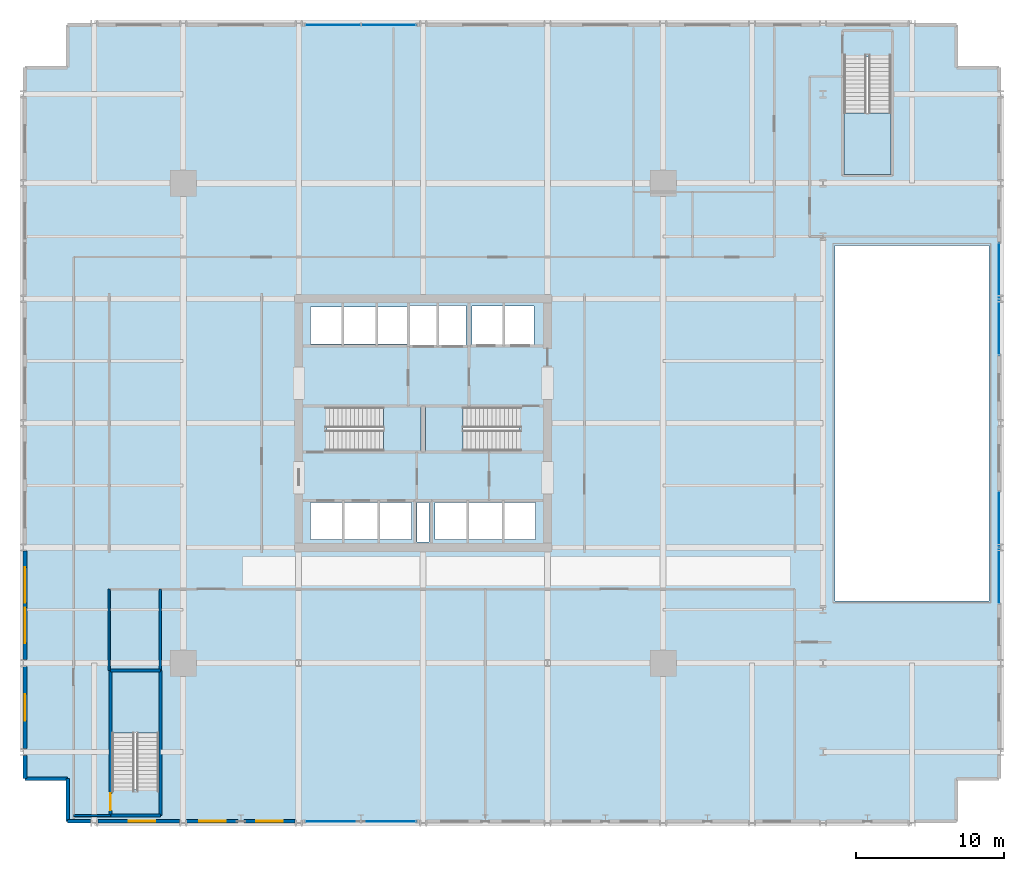
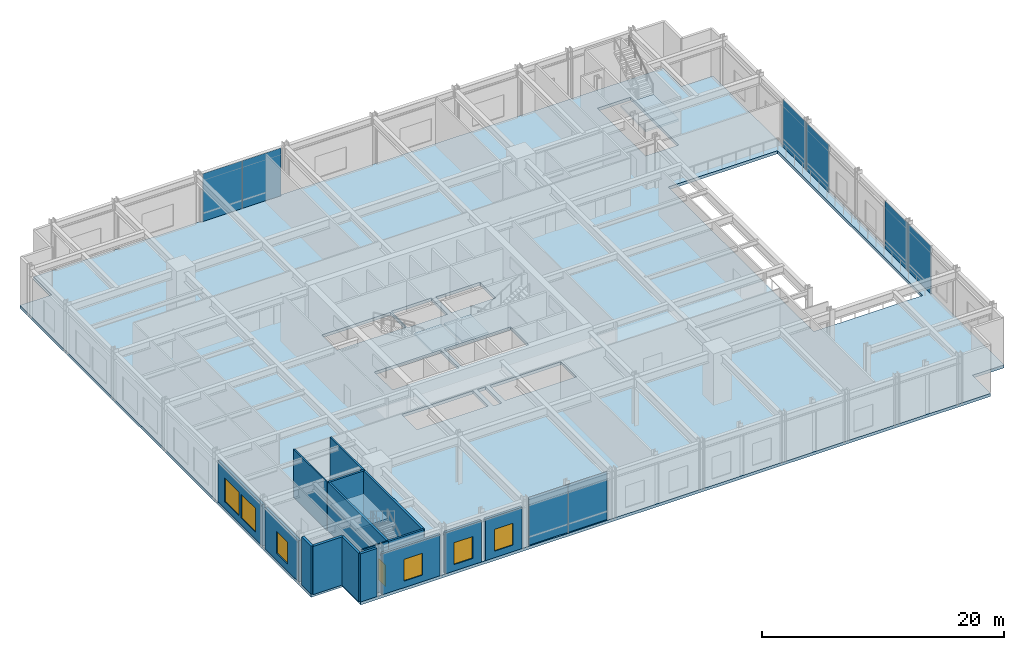
# One storey, part 10 of 20: 16 walls, 8 plates, 6 windows, 5 slabs, 1 door, 7 openings, 8 elements without a shape of their own.
"""IFC4 building model written with IfcOpenShell, lengths in metres."""

from ifc_helpers import new_model, si_unit, direction, frame, frame_2d, origin, origin_2d, place, context, subcontext, project, spatial, polyline, rectangle, outline, extrude, material, layer, layer_set, type_object, element, fill, aggregate, save


model = new_model("IFC4")

# Units and contexts
model_context = context("Model", 3, precision=1e-05, world=origin(), true_north=direction((0.0, 1.0)))
body_context = subcontext(model_context, "Body", "Model", "MODEL_VIEW")
ifc_project = project(units=[si_unit("LENGTHUNIT", "METRE"), si_unit("AREAUNIT", "SQUARE_METRE"), si_unit("VOLUMEUNIT", "CUBIC_METRE"), si_unit("PLANEANGLEUNIT", "RADIAN"), si_unit("MASSUNIT", "GRAM", prefix="KILO")], contexts=[model_context])

# Site, building, storey
site_placement = place(None, origin())
site = spatial("IfcSite", under=ifc_project, at=site_placement, CompositionType="ELEMENT")
building_placement = place(site_placement, origin())
building = spatial("IfcBuilding", under=site, at=building_placement, Name="Drelvath Grand Hotel", CompositionType="ELEMENT")
storey_placement = place(building_placement, frame((0.0, 0.0, 5.60009765625)))
storey = spatial("IfcBuildingStorey", under=building, at=storey_placement, Name="L01", CompositionType="ELEMENT", Elevation=5.60009765625)

# Slab
ifc_material_1 = material(Name="Concrete f'c 40 MPa", Category="concrete")
ifc_layer_1 = layer(ifc_material_1, 0.300048828125)
ifc_layer_set_1 = layer_set([ifc_layer_1], Name="Concrete f'c 40 MPa")
slab_type_1 = type_object("IfcSlabType", Name="Composite RC Floor Slab 300", PredefinedType="FLOOR", material=ifc_layer_set_1)
slab_1_placement = place(storey_placement, frame((0.0, 0.0, -0.300048828125)))
element("IfcSlab", 1, at=slab_1_placement, inside=storey, type_object=slab_type_1, Name="L01 Structural Floor Slab", PredefinedType="FLOOR", context=body_context, shape_type="SweptSolid", body=[
    extrude(outline(polyline([(-24.0, 0.0), (36.0, 0.0), (36.0, 3.0), (39.0, 3.0), (39.0, 51.0), (36.0, 51.0), (36.0, 54.0), (-24.0, 54.0), (-24.0, 51.0), (-27.0, 51.0), (-27.0, 3.0), (-24.0, 3.0), (-24.0, 0.0)]), holes=[polyline([(-6.47998046875, 25.1201171875), (-6.47998046875, 28.080078125), (-0.14990234375, 28.080078125), (-0.14990234375, 25.1201171875), (-6.47998046875, 25.1201171875)]), polyline([(0.14990234375, 25.1201171875), (0.14990234375, 28.080078125), (6.47998046875, 28.080078125), (6.47998046875, 25.1201171875), (0.14990234375, 25.1201171875)]), polyline([(-21.0, 2.27001953125), (-21.0, 10.199951171875), (-17.840087890625, 10.199951171875), (-17.840087890625, 2.27001953125), (-21.0, 2.27001953125)]), polyline([(28.419921875, 43.800048828125), (28.419921875, 51.72998046875), (31.580078125, 51.72998046875), (31.580078125, 43.800048828125), (28.419921875, 43.800048828125)]), polyline([(-7.60009765625, 19.14990234375), (-7.60009765625, 21.64990234375), (-0.800048828125, 21.64990234375), (-0.800048828125, 19.14990234375), (-7.60009765625, 19.14990234375)]), polyline([(-0.39990234375, 18.9599609375), (-0.39990234375, 21.639892578125), (0.39990234375, 21.639892578125), (0.39990234375, 18.9599609375), (-0.39990234375, 18.9599609375)]), polyline([(0.800048828125, 19.14990234375), (0.800048828125, 21.64990234375), (7.60009765625, 21.64990234375), (7.60009765625, 19.14990234375), (0.800048828125, 19.14990234375)]), polyline([(-7.60009765625, 32.35009765625), (-7.60009765625, 34.85009765625), (-1.02001953125, 34.85009765625), (-1.02001953125, 32.35009765625), (-7.60009765625, 32.35009765625)]), polyline([(-0.89990234375, 32.25), (-0.89990234375, 34.949951171875), (2.89990234375, 34.949951171875), (2.89990234375, 32.25), (-0.89990234375, 32.25)]), polyline([(3.300048828125, 32.300048828125), (3.300048828125, 34.89990234375), (7.5, 34.89990234375), (7.5, 32.300048828125), (3.300048828125, 32.300048828125)]), polyline([(27.800048828125, 15.0), (27.800048828125, 39.0), (38.199951171875, 39.0), (38.199951171875, 15.0), (27.800048828125, 15.0)])]), origin(), (0.0, 0.0, 1.0), 0.300048828125),
])

# Stair, slab
ifc_material_2 = material(Name="Concrete C40/50", Category="concrete")
stair_type_1 = type_object("IfcStairType", Name="Dogleg Exit Stair W1400-R173.3", PredefinedType="HALF_TURN_STAIR", material=ifc_material_2)
stair_1_placement = place(storey_placement, origin())
stair_1 = element("IfcStair", 2, at=stair_1_placement, inside=storey, type_object=stair_type_1, Name="L01 Core Exit Stair ST-1", PredefinedType="HALF_TURN_STAIR")
ifc_layer_2 = layer(ifc_material_2, 0.199951171875)
ifc_layer_set_2 = layer_set([ifc_layer_2], Name="Concrete C40/50")
slab_type_2 = type_object("IfcSlabType", Name="Concrete Stair Landing Slab 200", PredefinedType="LANDING", material=ifc_layer_set_2)
slab_2_placement = place(storey_placement, frame((0.0, 0.0, 2.39990234375)))
slab_2 = element("IfcSlab", 3, at=slab_2_placement, type_object=slab_type_2, Name="ST-1 landing 1", PredefinedType="LANDING", context=body_context, shape_type="SweptSolid", body=[
    extrude(outline(polyline([(-2.679931640625, 25.1201171875), (-0.14990234375, 25.1201171875), (-0.14990234375, 28.080078125), (-2.679931640625, 28.080078125), (-2.679931640625, 25.1201171875)])), origin(), (0.0, 0.0, 1.0), 0.199951171875),
])
aggregate(stair_1, [slab_2])

stair_2_placement = place(storey_placement, origin())
stair_2 = element("IfcStair", 4, at=stair_2_placement, inside=storey, type_object=stair_type_1, Name="L01 Core Exit Stair ST-2", PredefinedType="HALF_TURN_STAIR")
slab_3_placement = place(storey_placement, frame((0.0, 0.0, 2.39990234375)))
slab_3 = element("IfcSlab", 5, at=slab_3_placement, type_object=slab_type_2, Name="ST-2 landing 1", PredefinedType="LANDING", context=body_context, shape_type="SweptSolid", body=[
    extrude(outline(polyline([(2.679931640625, 28.080078125), (0.14990234375, 28.080078125), (0.14990234375, 25.1201171875), (2.679931640625, 25.1201171875), (2.679931640625, 28.080078125)])), origin(), (0.0, 0.0, 1.0), 0.199951171875),
])
aggregate(stair_2, [slab_3])

stair_type_2 = type_object("IfcStairType", Name="Dogleg Exit Stair W1500-R173.3", PredefinedType="HALF_TURN_STAIR", material=ifc_material_2)
stair_3_placement = place(storey_placement, origin())
stair_3 = element("IfcStair", 6, at=stair_3_placement, inside=storey, type_object=stair_type_2, Name="L01 Podium Exit Stair ST-3", PredefinedType="HALF_TURN_STAIR")
slab_4_placement = place(storey_placement, frame((0.0, 0.0, 2.39990234375)))
slab_4 = element("IfcSlab", 7, at=slab_4_placement, type_object=slab_type_2, Name="ST-3 landing 1", PredefinedType="LANDING", context=body_context, shape_type="SweptSolid", body=[
    extrude(outline(polyline([(-17.840087890625, 6.070068359375), (-17.840087890625, 10.199951171875), (-21.0, 10.199951171875), (-21.0, 6.070068359375), (-17.840087890625, 6.070068359375)])), origin(), (0.0, 0.0, 1.0), 0.199951171875),
])
aggregate(stair_3, [slab_4])

stair_4_placement = place(storey_placement, origin())
stair_4 = element("IfcStair", 8, at=stair_4_placement, inside=storey, type_object=stair_type_2, Name="L01 Podium Exit Stair ST-4", PredefinedType="HALF_TURN_STAIR")
slab_5_placement = place(storey_placement, frame((0.0, 0.0, 2.39990234375)))
slab_5 = element("IfcSlab", 9, at=slab_5_placement, type_object=slab_type_2, Name="ST-4 landing 1", PredefinedType="LANDING", context=body_context, shape_type="SweptSolid", body=[
    extrude(outline(polyline([(28.419921875, 47.929931640625), (28.419921875, 43.800048828125), (31.580078125, 43.800048828125), (31.580078125, 47.929931640625), (28.419921875, 47.929931640625)])), origin(), (0.0, 0.0, 1.0), 0.199951171875),
])
aggregate(stair_4, [slab_5])

# Curtain wall, plates
ifc_material_3 = material(Name="Dark Bronze Anodised Aluminium Frame", Category="aluminium")
ifc_layer_3 = layer(ifc_material_3, 0.199951171875)
ifc_layer_set_3 = layer_set([ifc_layer_3], Name="Dark Bronze Anodised Aluminium Frame")
curtain_wall_type = type_object("IfcCurtainWallType", Name="Stick Curtain Wall CW-01 Dark Bronze Podium", PredefinedType="NOTDEFINED", material=ifc_layer_set_3)
curtain_wall_1_placement = place(storey_placement, origin())
curtain_wall_1 = element("IfcCurtainWall", 10, at=curtain_wall_1_placement, inside=storey, type_object=curtain_wall_type, Name="L01 CW-01 Curtain Wall CW01-L01-EA1", PredefinedType="NOTDEFINED")
ifc_material_4 = material(Name="Low-E Double Silver Vision Glass Clear", Category="glass")
ifc_layer_4 = layer(ifc_material_4, 0.035888671875)
ifc_layer_set_4 = layer_set([ifc_layer_4], Name="Low-E Double Silver Vision Glass Clear")
plate_type = type_object("IfcPlateType", Name="Curtain Wall Vision Panel CW-01 36mm", PredefinedType="CURTAIN_PANEL", material=ifc_layer_set_4)
plate_1_placement = place(storey_placement, frame((38.8798828125, 20.5, 0.019775390625), z_axis=(0.0, 0.0, 1.0), x_axis=(0.0, -1.0, 0.0)))
plate_1 = element("IfcPlate", 11, at=plate_1_placement, type_object=plate_type, Name="CW01-L01-EA1 Glazed Panel 1", PredefinedType="CURTAIN_PANEL", context=body_context, shape_type="SweptSolid", body=[
    extrude(rectangle(XDim=3.760009765625, YDim=0.035888671875, at=origin_2d()), origin(), (0.0, 0.0, 1.0), 4.81005859375),
])
plate_2_placement = place(storey_placement, frame((38.8798828125, 16.699951171875, 0.019775390625), z_axis=(0.0, 0.0, 1.0), x_axis=(0.0, -1.0, 0.0)))
plate_2 = element("IfcPlate", 12, at=plate_2_placement, type_object=plate_type, Name="CW01-L01-EA1 Glazed Panel 2", PredefinedType="CURTAIN_PANEL", context=body_context, shape_type="SweptSolid", body=[
    extrude(rectangle(XDim=3.760009765625, YDim=0.035888671875, at=origin_2d()), origin(), (0.0, 0.0, 1.0), 4.81005859375),
])
aggregate(curtain_wall_1, [plate_1, plate_2])

curtain_wall_2_placement = place(storey_placement, origin())
curtain_wall_2 = element("IfcCurtainWall", 13, at=curtain_wall_2_placement, inside=storey, type_object=curtain_wall_type, Name="L01 CW-01 Curtain Wall CW01-L01-EA2", PredefinedType="NOTDEFINED")
plate_3_placement = place(storey_placement, frame((38.8798828125, 37.300048828125, 0.019775390625), z_axis=(0.0, 0.0, 1.0), x_axis=(0.0, -1.0, 0.0)))
plate_3 = element("IfcPlate", 14, at=plate_3_placement, type_object=plate_type, Name="CW01-L01-EA2 Glazed Panel 1", PredefinedType="CURTAIN_PANEL", context=body_context, shape_type="SweptSolid", body=[
    extrude(rectangle(XDim=3.760009765625, YDim=0.035888671875, at=origin_2d()), origin(), (0.0, 0.0, 1.0), 4.81005859375),
])
plate_4_placement = place(storey_placement, frame((38.8798828125, 33.5, 0.019775390625), z_axis=(0.0, 0.0, 1.0), x_axis=(0.0, -1.0, 0.0)))
plate_4 = element("IfcPlate", 15, at=plate_4_placement, type_object=plate_type, Name="CW01-L01-EA2 Glazed Panel 2", PredefinedType="CURTAIN_PANEL", context=body_context, shape_type="SweptSolid", body=[
    extrude(rectangle(XDim=3.760009765625, YDim=0.035888671875, at=origin_2d()), origin(), (0.0, 0.0, 1.0), 4.81005859375),
])
aggregate(curtain_wall_2, [plate_3, plate_4])

curtain_wall_3_placement = place(storey_placement, origin())
curtain_wall_3 = element("IfcCurtainWall", 16, at=curtain_wall_3_placement, inside=storey, type_object=curtain_wall_type, Name="L01 CW-01 Curtain Wall CW01-L01-SC1", PredefinedType="NOTDEFINED")
plate_5_placement = place(storey_placement, frame((-2.324951171875, 0.1201171875, 0.019775390625), z_axis=(0.0, 0.0, 1.0), x_axis=(-1.0, 0.0, 0.0)))
plate_5 = element("IfcPlate", 17, at=plate_5_placement, type_object=plate_type, Name="CW01-L01-SC1 Glazed Panel 1", PredefinedType="CURTAIN_PANEL", context=body_context, shape_type="SweptSolid", body=[
    extrude(rectangle(XDim=3.7099609375, YDim=0.035888671875, at=origin_2d()), origin(), (0.0, 0.0, 1.0), 4.81005859375),
])
plate_6_placement = place(storey_placement, frame((-6.074951171875, 0.1201171875, 0.019775390625), z_axis=(0.0, 0.0, 1.0), x_axis=(-1.0, 0.0, 0.0)))
plate_6 = element("IfcPlate", 18, at=plate_6_placement, type_object=plate_type, Name="CW01-L01-SC1 Glazed Panel 2", PredefinedType="CURTAIN_PANEL", context=body_context, shape_type="SweptSolid", body=[
    extrude(rectangle(XDim=3.7099609375, YDim=0.035888671875, at=origin_2d()), origin(), (0.0, 0.0, 1.0), 4.81005859375),
])
aggregate(curtain_wall_3, [plate_5, plate_6])

curtain_wall_4_placement = place(storey_placement, origin())
curtain_wall_4 = element("IfcCurtainWall", 19, at=curtain_wall_4_placement, inside=storey, type_object=curtain_wall_type, Name="L01 CW-01 Curtain Wall CW01-L01-NC1", PredefinedType="NOTDEFINED")
plate_7_placement = place(storey_placement, frame((-6.074951171875, 53.8798828125, 0.019775390625), z_axis=(0.0, 0.0, 1.0), x_axis=(1.0, 0.0, 0.0)))
plate_7 = element("IfcPlate", 20, at=plate_7_placement, type_object=plate_type, Name="CW01-L01-NC1 Glazed Panel 1", PredefinedType="CURTAIN_PANEL", context=body_context, shape_type="SweptSolid", body=[
    extrude(rectangle(XDim=3.7099609375, YDim=0.035888671875, at=origin_2d()), origin(), (0.0, 0.0, 1.0), 4.81005859375),
])
plate_8_placement = place(storey_placement, frame((-2.324951171875, 53.8798828125, 0.019775390625), z_axis=(0.0, 0.0, 1.0), x_axis=(1.0, 0.0, 0.0)))
plate_8 = element("IfcPlate", 21, at=plate_8_placement, type_object=plate_type, Name="CW01-L01-NC1 Glazed Panel 2", PredefinedType="CURTAIN_PANEL", context=body_context, shape_type="SweptSolid", body=[
    extrude(rectangle(XDim=3.7099609375, YDim=0.035888671875, at=origin_2d()), origin(), (0.0, 0.0, 1.0), 4.81005859375),
])
aggregate(curtain_wall_4, [plate_7, plate_8])

# Wall, opening, door
ifc_layer_5 = layer(ifc_material_2, 0.199951171875)
ifc_layer_set_5 = layer_set([ifc_layer_5], Name="Concrete C40/50")
wall_type_1 = type_object("IfcWallType", Name="Core Shaft Fire Wall 200", PredefinedType="SOLIDWALL", material=ifc_layer_set_5)
wall_1_placement = place(storey_placement, frame((-21.10009765625, 0.5, 0.0), z_axis=(0.0, 0.0, 1.0), x_axis=(0.0, 1.0, 0.0)))
wall_1 = element("IfcWall", 22, at=wall_1_placement, inside=storey, type_object=wall_type_1, Name="L01 Stair ST-3 West Wall", PredefinedType="SOLIDWALL", context=body_context, shape_type="SweptSolid", body=[
    extrude(rectangle(XDim=9.800048828125, YDim=0.199951171875, at=frame_2d((4.89990234375, 0.0))), origin(), (0.0, 0.0, 1.0), 4.849853515625),
])
opening_1_placement = place(wall_1_placement, frame((0.35009765625, 0.0, 0.0)))
opening_1 = element("IfcOpeningElement", 23, at=opening_1_placement, cuts=wall_1, Name="Opening D-L01-016", PredefinedType="OPENING", context=body_context, shape_type="SweptSolid", body=[
    extrude(rectangle(XDim=1.14990234375, YDim=2.14990234375, at=frame_2d((0.574951171875, 1.074951171875))), frame((0.0, 0.10986328125, 0.0), z_axis=(0.0, -1.0, 0.0), x_axis=(1.0, 0.0, 0.0)), (0.0, 0.0, 1.0), 0.219970703125),
])
ifc_material_5 = material(Name="Painted Steel S275", Category="steel")
door_type = type_object("IfcDoorType", Name="Podium Stairwell Fire Door 1150x2150", OperationType="NOTDEFINED", PredefinedType="DOOR", material=ifc_material_5)
door_placement = place(opening_1_placement, origin())
door = element("IfcDoor", 24, at=door_placement, inside=storey, type_object=door_type, Name="L01 Exit Stair ST-3 Entry Door", OperationType="SINGLE_SWING_LEFT", OverallHeight=2.14990234375, OverallWidth=1.14990234375, PredefinedType="DOOR", context=body_context, shape_type="SweptSolid", body=[
    extrude(rectangle(XDim=1.14990234375, YDim=2.14990234375, at=frame_2d((0.574951171875, 1.074951171875))), frame((0.0, 0.02490234375, 0.0), z_axis=(0.0, -1.0, 0.0), x_axis=(1.0, 0.0, 0.0)), (0.0, 0.0, 1.0), 0.050048828125),
])
fill(opening_1, door)

# Walls
wall_2_placement = place(storey_placement, frame((-17.739990234375, 10.300048828125, 0.0), z_axis=(0.0, 0.0, 1.0), x_axis=(0.0, -1.0, 0.0)))
element("IfcWall", 25, at=wall_2_placement, inside=storey, type_object=wall_type_1, Name="L01 Stair ST-3 East Wall", PredefinedType="SOLIDWALL", context=body_context, shape_type="SweptSolid", body=[
    extrude(rectangle(XDim=9.800048828125, YDim=0.199951171875, at=frame_2d((4.89990234375, 0.0))), origin(), (0.0, 0.0, 1.0), 4.849853515625),
])
for number, where, z_axis, x_axis, name in (
    (26, (-21.10009765625, 0.5, 0.0), (0.0, 0.0, 1.0), (1.0, 0.0, 0.0), "L01 Stair ST-3 South Wall"),
    (27, (-17.739990234375, 10.300048828125, 0.0), (0.0, 0.0, 1.0), (-1.0, 0.0, 0.0), "L01 Stair ST-3 North Wall"),
):
    element("IfcWall", number, at=place(storey_placement, frame(where, z_axis=z_axis, x_axis=x_axis)), inside=storey, type_object=wall_type_1, Name=name, PredefinedType="SOLIDWALL", context=body_context, shape_type="SweptSolid", body=[
        extrude(rectangle(XDim=3.360107421875, YDim=0.199951171875, at=frame_2d((1.68017578125, 0.0))), origin(), (0.0, 0.0, 1.0), 4.849853515625),
    ])
ifc_material_6 = material(Name="Gypsum Fireboard Partition")
ifc_layer_6 = layer(ifc_material_6, 0.135009765625)
ifc_layer_set_6 = layer_set([ifc_layer_6], Name="Gypsum Fireboard Partition")
wall_type_2 = type_object("IfcWallType", Name="Corridor Fire Barrier Wall 135", PredefinedType="PARTITIONING", material=ifc_layer_set_6)
wall_3_placement = place(storey_placement, frame((-21.199951171875, 10.300048828125, 0.0), z_axis=(0.0, 0.0, 1.0), x_axis=(0.0, 1.0, 0.0)))
element("IfcWall", 28, at=wall_3_placement, inside=storey, type_object=wall_type_2, Name="L01 ST-3 Spur South-East Wall", PredefinedType="PARTITIONING", context=body_context, shape_type="SweptSolid", body=[
    extrude(rectangle(XDim=5.5, YDim=0.135009765625, at=frame_2d((2.75, 0.0))), origin(), (0.0, 0.0, 1.0), 4.849853515625),
])
wall_4_placement = place(storey_placement, frame((-23.60009765625, 0.5, 0.0), z_axis=(0.0, 0.0, 1.0), x_axis=(1.0, 0.0, 0.0)))
element("IfcWall", 29, at=wall_4_placement, inside=storey, type_object=wall_type_2, Name="L01 ST-3 Spur South End", PredefinedType="PARTITIONING", context=body_context, shape_type="SweptSolid", body=[
    extrude(rectangle(XDim=2.5, YDim=0.135009765625, at=frame_2d((1.25, 0.0))), origin(), (0.0, 0.0, 1.0), 4.849853515625),
])
ifc_material_7 = material(Name="Insulated Granite Rainscreen Assembly", Category="masonry")
ifc_layer_7 = layer(ifc_material_7, 0.239990234375)
ifc_layer_set_7 = layer_set([ifc_layer_7], Name="Insulated Granite Rainscreen Assembly")
wall_type_3 = type_object("IfcWallType", Name="Podium Granite Rainscreen Exterior Wall 240", PredefinedType="STANDARD", material=ifc_layer_set_7)
wall_5_placement = place(storey_placement, frame((-26.8798828125, 3.0, 0.0), z_axis=(0.0, 0.0, 1.0), x_axis=(0.0, 1.0, 0.0)))
element("IfcWall", 30, at=wall_5_placement, inside=storey, type_object=wall_type_3, Name="L01 West Podium Granite Wall 1", PredefinedType="STANDARD", context=body_context, shape_type="SweptSolid", body=[
    extrude(rectangle(XDim=1.55908203125, YDim=0.239990234375, at=frame_2d((0.779541015625, 0.0))), origin(), (0.0, 0.0, 1.0), 4.849853515625),
])

# Wall, opening, window
wall_6_placement = place(storey_placement, frame((-26.8798828125, 5.041015625, 0.0), z_axis=(0.0, 0.0, 1.0), x_axis=(0.0, 1.0, 0.0)))
wall_6 = element("IfcWall", 31, at=wall_6_placement, inside=storey, type_object=wall_type_3, Name="L01 West Podium Granite Wall 2", PredefinedType="STANDARD", context=body_context, shape_type="SweptSolid", body=[
    extrude(rectangle(XDim=5.51806640625, YDim=0.239990234375, at=frame_2d((2.759033203125, 0.0))), origin(), (0.0, 0.0, 1.0), 4.154296875),
])
opening_2_placement = place(wall_6_placement, frame((1.859130859375, 0.0, 0.699951171875)))
opening_2 = element("IfcOpeningElement", 32, at=opening_2_placement, cuts=wall_6, Name="Opening W-02", PredefinedType="OPENING", context=body_context, shape_type="SweptSolid", body=[
    extrude(rectangle(XDim=1.800048828125, YDim=2.199951171875, at=frame_2d((0.89990234375, 1.10009765625))), frame((0.0, 0.1298828125, 0.0), z_axis=(0.0, -1.0, 0.0), x_axis=(1.0, 0.0, 0.0)), (0.0, 0.0, 1.0), 0.260009765625),
])
ifc_material_8 = material(Name="Bronze Anodised Low-E Triple Glazing", Category="glass")
window_type_1 = type_object("IfcWindowType", Name="Chicago Double-Pane Podium Window 1800x2400", PartitioningType="DOUBLE_PANEL_VERTICAL", PredefinedType="WINDOW", material=ifc_material_8)
window_1_placement = place(opening_2_placement, origin())
window_1 = element("IfcWindow", 33, at=window_1_placement, inside=storey, type_object=window_type_1, Name="L01 West Podium Window 2", OverallHeight=2.199951171875, OverallWidth=1.800048828125, PartitioningType="SINGLE_PANEL", PredefinedType="WINDOW", context=body_context, shape_type="SweptSolid", body=[
    extrude(rectangle(XDim=1.800048828125, YDim=2.199951171875, at=frame_2d((0.89990234375, 1.10009765625))), frame((0.0, 0.030029296875, 0.0), z_axis=(0.0, -1.0, 0.0), x_axis=(1.0, 0.0, 0.0)), (0.0, 0.0, 1.0), 0.06005859375),
])
fill(opening_2, window_1)

# Wall, openings, windows
wall_7_placement = place(storey_placement, frame((-26.8798828125, 11.041015625, 0.0), z_axis=(0.0, 0.0, 1.0), x_axis=(0.0, 1.0, 0.0)))
wall_7 = element("IfcWall", 34, at=wall_7_placement, inside=storey, type_object=wall_type_3, Name="L01 West Podium Granite Wall 3", PredefinedType="STANDARD", context=body_context, shape_type="SweptSolid", body=[
    extrude(rectangle(XDim=7.318115234375, YDim=0.239990234375, at=frame_2d((3.6591796875, 0.0))), origin(), (0.0, 0.0, 1.0), 4.154296875),
])
opening_3_placement = place(wall_7_placement, frame((1.10009765625, 0.0, 0.699951171875)))
opening_3 = element("IfcOpeningElement", 35, at=opening_3_placement, cuts=wall_7, Name="Opening W-01", PredefinedType="OPENING", context=body_context, shape_type="SweptSolid", body=[
    extrude(rectangle(XDim=2.39990234375, YDim=2.39990234375, at=frame_2d((1.199951171875, 1.199951171875))), frame((0.0, 0.1298828125, 0.0), z_axis=(0.0, -1.0, 0.0), x_axis=(1.0, 0.0, 0.0)), (0.0, 0.0, 1.0), 0.260009765625),
])
opening_4_placement = place(wall_7_placement, frame((3.818115234375, 0.0, 0.699951171875)))
opening_4 = element("IfcOpeningElement", 36, at=opening_4_placement, cuts=wall_7, Name="Opening W-01", PredefinedType="OPENING", context=body_context, shape_type="SweptSolid", body=[
    extrude(rectangle(XDim=2.39990234375, YDim=2.39990234375, at=frame_2d((1.199951171875, 1.199951171875))), frame((0.0, 0.1298828125, 0.0), z_axis=(0.0, -1.0, 0.0), x_axis=(1.0, 0.0, 0.0)), (0.0, 0.0, 1.0), 0.260009765625),
])
window_type_2 = type_object("IfcWindowType", Name="Chicago Triple-Pane Podium Window 2400x2600", PartitioningType="TRIPLE_PANEL_VERTICAL", PredefinedType="WINDOW", material=ifc_material_8)
window_2_placement = place(opening_3_placement, origin())
window_2 = element("IfcWindow", 37, at=window_2_placement, inside=storey, type_object=window_type_2, Name="L01 West Podium Window 3-1", OverallHeight=2.39990234375, OverallWidth=2.39990234375, PartitioningType="SINGLE_PANEL", PredefinedType="WINDOW", context=body_context, shape_type="SweptSolid", body=[
    extrude(rectangle(XDim=2.39990234375, YDim=2.39990234375, at=frame_2d((1.199951171875, 1.199951171875))), frame((0.0, 0.030029296875, 0.0), z_axis=(0.0, -1.0, 0.0), x_axis=(1.0, 0.0, 0.0)), (0.0, 0.0, 1.0), 0.06005859375),
])
fill(opening_3, window_2)
window_3_placement = place(opening_4_placement, origin())
window_3 = element("IfcWindow", 38, at=window_3_placement, inside=storey, type_object=window_type_2, Name="L01 West Podium Window 3-2", OverallHeight=2.39990234375, OverallWidth=2.39990234375, PartitioningType="SINGLE_PANEL", PredefinedType="WINDOW", context=body_context, shape_type="SweptSolid", body=[
    extrude(rectangle(XDim=2.39990234375, YDim=2.39990234375, at=frame_2d((1.199951171875, 1.199951171875))), frame((0.0, 0.030029296875, 0.0), z_axis=(0.0, -1.0, 0.0), x_axis=(1.0, 0.0, 0.0)), (0.0, 0.0, 1.0), 0.06005859375),
])
fill(opening_4, window_3)

# Wall
wall_8_placement = place(storey_placement, frame((-22.44091796875, 0.1201171875, 0.0), z_axis=(0.0, 0.0, 1.0), x_axis=(-1.0, 0.0, 0.0)))
element("IfcWall", 39, at=wall_8_placement, inside=storey, type_object=wall_type_3, Name="L01 South Podium Granite Wall 1", PredefinedType="STANDARD", context=body_context, shape_type="SweptSolid", body=[
    extrude(rectangle(XDim=1.55908203125, YDim=0.239990234375, at=frame_2d((0.779541015625, 0.0))), origin(), (0.0, 0.0, 1.0), 4.849853515625),
])

# Wall, opening, window
wall_9_placement = place(storey_placement, frame((-16.44091796875, 0.1201171875, 0.0), z_axis=(0.0, 0.0, 1.0), x_axis=(-1.0, 0.0, 0.0)))
wall_9 = element("IfcWall", 40, at=wall_9_placement, inside=storey, type_object=wall_type_3, Name="L01 South Podium Granite Wall 2", PredefinedType="STANDARD", context=body_context, shape_type="SweptSolid", body=[
    extrude(rectangle(XDim=5.51806640625, YDim=0.239990234375, at=frame_2d((2.759033203125, 0.0))), origin(), (0.0, 0.0, 1.0), 4.154296875),
])
opening_5_placement = place(wall_9_placement, frame((1.64990234375, 0.0, 0.64990234375)))
opening_5 = element("IfcOpeningElement", 41, at=opening_5_placement, cuts=wall_9, Name="Opening W-02", PredefinedType="OPENING", context=body_context, shape_type="SweptSolid", body=[
    extrude(rectangle(XDim=1.800048828125, YDim=2.199951171875, at=frame_2d((0.89990234375, 1.10009765625))), frame((0.0, 0.1298828125, 0.0), z_axis=(0.0, -1.0, 0.0), x_axis=(1.0, 0.0, 0.0)), (0.0, 0.0, 1.0), 0.260009765625),
])
window_4_placement = place(opening_5_placement, origin())
window_4 = element("IfcWindow", 42, at=window_4_placement, inside=storey, type_object=window_type_1, Name="L01 South Chicago Window 2-1", OverallHeight=2.199951171875, OverallWidth=1.800048828125, PartitioningType="SINGLE_PANEL", PredefinedType="WINDOW", context=body_context, shape_type="SweptSolid", body=[
    extrude(rectangle(XDim=1.800048828125, YDim=2.199951171875, at=frame_2d((0.89990234375, 1.10009765625))), frame((0.0, 0.030029296875, 0.0), z_axis=(0.0, -1.0, 0.0), x_axis=(1.0, 0.0, 0.0)), (0.0, 0.0, 1.0), 0.06005859375),
])
fill(opening_5, window_4)

wall_10_placement = place(storey_placement, frame((-12.49267578125, 0.1201171875, 0.0), z_axis=(0.0, 0.0, 1.0), x_axis=(-1.0, 0.0, 0.0)))
wall_10 = element("IfcWall", 43, at=wall_10_placement, inside=storey, type_object=wall_type_3, Name="L01 South Podium Granite Wall 3", PredefinedType="STANDARD", context=body_context, shape_type="SweptSolid", body=[
    extrude(rectangle(XDim=3.46630859375, YDim=0.239990234375, at=frame_2d((1.733154296875, 0.0))), origin(), (0.0, 0.0, 1.0), 4.154296875),
])
opening_6_placement = place(wall_10_placement, frame((0.833251953125, 0.0, 0.64990234375)))
opening_6 = element("IfcOpeningElement", 44, at=opening_6_placement, cuts=wall_10, Name="Opening W-02", PredefinedType="OPENING", context=body_context, shape_type="SweptSolid", body=[
    extrude(rectangle(XDim=1.800048828125, YDim=2.199951171875, at=frame_2d((0.89990234375, 1.10009765625))), frame((0.0, 0.1298828125, 0.0), z_axis=(0.0, -1.0, 0.0), x_axis=(1.0, 0.0, 0.0)), (0.0, 0.0, 1.0), 0.260009765625),
])
window_5_placement = place(opening_6_placement, origin())
window_5 = element("IfcWindow", 45, at=window_5_placement, inside=storey, type_object=window_type_1, Name="L01 South Chicago Window 3", OverallHeight=2.199951171875, OverallWidth=1.800048828125, PartitioningType="SINGLE_PANEL", PredefinedType="WINDOW", context=body_context, shape_type="SweptSolid", body=[
    extrude(rectangle(XDim=1.800048828125, YDim=2.199951171875, at=frame_2d((0.89990234375, 1.10009765625))), frame((0.0, 0.030029296875, 0.0), z_axis=(0.0, -1.0, 0.0), x_axis=(1.0, 0.0, 0.0)), (0.0, 0.0, 1.0), 0.06005859375),
])
fill(opening_6, window_5)

wall_11_placement = place(storey_placement, frame((-8.640869140625, 0.1201171875, 0.0), z_axis=(0.0, 0.0, 1.0), x_axis=(-1.0, 0.0, 0.0)))
wall_11 = element("IfcWall", 46, at=wall_11_placement, inside=storey, type_object=wall_type_3, Name="L01 South Podium Granite Wall 4", PredefinedType="STANDARD", context=body_context, shape_type="SweptSolid", body=[
    extrude(rectangle(XDim=3.466552734375, YDim=0.239990234375, at=frame_2d((1.7333984375, 0.0))), origin(), (0.0, 0.0, 1.0), 4.154296875),
])
opening_7_placement = place(wall_11_placement, frame((0.833251953125, 0.0, 0.64990234375)))
opening_7 = element("IfcOpeningElement", 47, at=opening_7_placement, cuts=wall_11, Name="Opening W-02", PredefinedType="OPENING", context=body_context, shape_type="SweptSolid", body=[
    extrude(rectangle(XDim=1.800048828125, YDim=2.199951171875, at=frame_2d((0.89990234375, 1.10009765625))), frame((0.0, 0.1298828125, 0.0), z_axis=(0.0, -1.0, 0.0), x_axis=(1.0, 0.0, 0.0)), (0.0, 0.0, 1.0), 0.260009765625),
])
window_6_placement = place(opening_7_placement, origin())
window_6 = element("IfcWindow", 48, at=window_6_placement, inside=storey, type_object=window_type_1, Name="L01 South Chicago Window 4", OverallHeight=2.199951171875, OverallWidth=1.800048828125, PartitioningType="SINGLE_PANEL", PredefinedType="WINDOW", context=body_context, shape_type="SweptSolid", body=[
    extrude(rectangle(XDim=1.800048828125, YDim=2.199951171875, at=frame_2d((0.89990234375, 1.10009765625))), frame((0.0, 0.030029296875, 0.0), z_axis=(0.0, -1.0, 0.0), x_axis=(1.0, 0.0, 0.0)), (0.0, 0.0, 1.0), 0.06005859375),
])
fill(opening_7, window_6)

# Walls
for number, where, z_axis, x_axis, name in (
    (49, (-24.0, 0.1201171875, 0.0), (0.0, 0.0, 1.0), (0.0, 1.0, 0.0), "L01 Podium Corner Return Wall CSW1"),
    (50, (-24.0, 3.0, 0.0), (0.0, 0.0, 1.0), (-1.0, 0.0, 0.0), "L01 Podium Corner Return Wall CSW2"),
):
    element("IfcWall", number, at=place(storey_placement, frame(where, z_axis=z_axis, x_axis=x_axis)), inside=storey, type_object=wall_type_3, Name=name, PredefinedType="STANDARD", context=body_context, shape_type="SweptSolid", body=[
        extrude(rectangle(XDim=2.8798828125, YDim=0.239990234375, at=frame_2d((1.43994140625, 0.0))), origin(), (0.0, 0.0, 1.0), 4.849853515625),
    ])
ifc_material_9 = material(Name="Gypsum Acoustic Partition")
ifc_layer_8 = layer(ifc_material_9, 0.1650390625)
ifc_layer_set_8 = layer_set([ifc_layer_8], Name="Gypsum Acoustic Partition")
wall_type_4 = type_object("IfcWallType", Name="Suite Demising Wall 165", PredefinedType="PARTITIONING", material=ifc_layer_set_8)
wall_12_placement = place(storey_placement, frame((-17.739990234375, 10.300048828125, 0.0), z_axis=(0.0, 0.0, 1.0), x_axis=(0.0, 1.0, 0.0)))
element("IfcWall", 51, at=wall_12_placement, inside=storey, type_object=wall_type_4, Name="L01 ST-3 East Demising Wall", PredefinedType="PARTITIONING", context=body_context, shape_type="SweptSolid", body=[
    extrude(rectangle(XDim=5.5, YDim=0.1650390625, at=frame_2d((2.75, 0.0))), origin(), (0.0, 0.0, 1.0), 4.849853515625),
])

save(model, "model.ifc")
